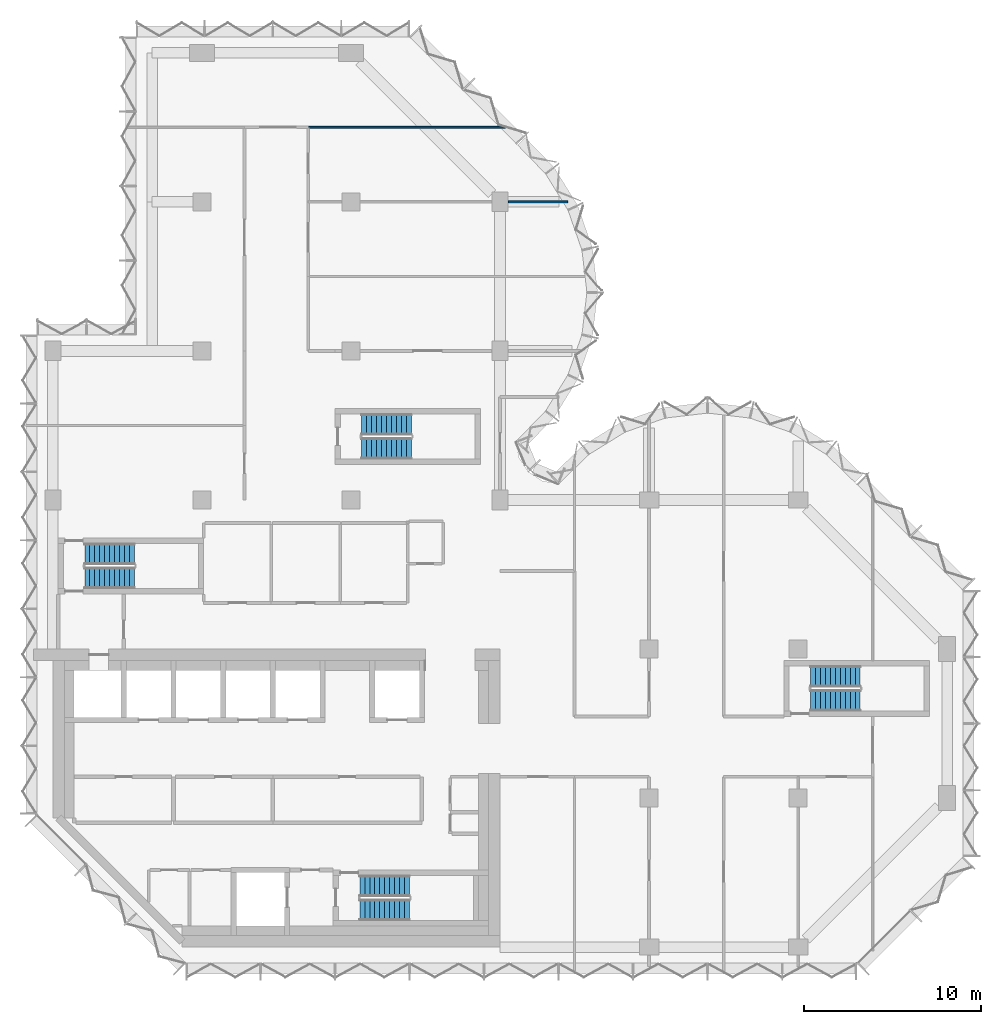
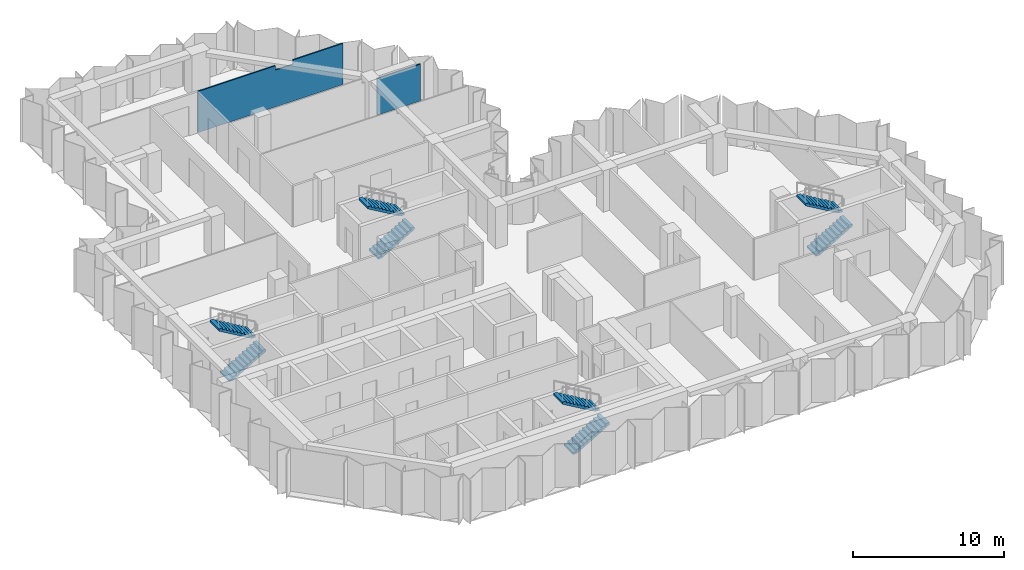
# One storey, part 8 of 10: 8 stair flights, 2 walls, 4 elements without a shape of their own.
"""IFC4 building model written with IfcOpenShell, lengths in metres."""

from ifc_helpers import new_model, si_unit, direction, frame, frame_2d, origin, place, context, subcontext, project, spatial, polyline, rectangle, outline, extrude, material, layer, layer_set, type_object, element, aggregate, save


model = new_model("IFC4")

# Units and contexts
model_context = context("Model", 3, precision=1e-05, world=origin(), true_north=direction((0.0, 1.0)))
body_context = subcontext(model_context, "Body", "Model", "MODEL_VIEW")
ifc_project = project(units=[si_unit("LENGTHUNIT", "METRE"), si_unit("AREAUNIT", "SQUARE_METRE"), si_unit("VOLUMEUNIT", "CUBIC_METRE"), si_unit("PLANEANGLEUNIT", "RADIAN"), si_unit("MASSUNIT", "GRAM", prefix="KILO")], contexts=[model_context])

# Site, building, storey
site_placement = place(None, origin())
site = spatial("IfcSite", under=ifc_project, at=site_placement, CompositionType="ELEMENT")
building_placement = place(site_placement, origin())
building = spatial("IfcBuilding", under=site, at=building_placement, Name="Brevane Broadcast Tower", CompositionType="ELEMENT")
storey_placement = place(building_placement, frame((0.0, 0.0, 199.199951171875)))
storey = spatial("IfcBuildingStorey", under=building, at=storey_placement, Name="L50", CompositionType="ELEMENT", Elevation=199.199951171875)

# Walls
ifc_material_1 = material(Name="Gypsum board partition")
ifc_layer = layer(ifc_material_1, 0.10009765625)
ifc_layer_set = layer_set([ifc_layer], Name="PARTITION 100 STUD")
wall_type = type_object("IfcWallType", Name="PARTITION 100 STUD", PredefinedType="PARTITIONING", material=ifc_layer_set)
wall_1_placement = place(storey_placement, frame((25.50244140625, 46.199951171875, 0.0), z_axis=(0.0, 0.0, 1.0), x_axis=(-1.0, 0.0, 0.0)))
element("IfcWall", 1, at=wall_1_placement, inside=storey, type_object=wall_type, Name="Partition G15-039", PredefinedType="PARTITIONING", context=body_context, shape_type="SweptSolid", body=[
    extrude(outline(polyline([(0.0, 0.0), (11.1025390625, 0.0), (11.1025390625, 3.330078125), (5.168212890625, 3.330078125), (5.166259765625, 2.97998046875), (3.8388671875, 2.97998046875), (3.8369140625, 3.330078125), (0.1025390625, 3.330078125), (0.0, 3.330078125), (0.0, 0.0)])), frame((0.0, 0.050048828125, 0.0), z_axis=(0.0, -1.0, 0.0), x_axis=(1.0, 0.0, 0.0)), (0.0, 0.0, 1.0), 0.10009765625),
])
wall_2_placement = place(storey_placement, frame((25.669921875, 42.0, 0.0), z_axis=(0.0, 0.0, 1.0), x_axis=(1.0, 0.0, 0.0)))
element("IfcWall", 2, at=wall_2_placement, inside=storey, type_object=wall_type, Name="Partition G15-044", PredefinedType="PARTITIONING", context=body_context, shape_type="SweptSolid", body=[
    extrude(rectangle(XDim=3.341552734375, YDim=0.10009765625, at=frame_2d((1.6708984375, 0.0))), origin(), (0.0, 0.0, 1.0), 2.97998046875),
])

# Stair, stair flights
ifc_material_2 = material(Name="Concrete C50/60", Category="concrete")
stair_type = type_object("IfcStairType", Name="Exit stair 22 risers", PredefinedType="HALF_TURN_STAIR", material=ifc_material_2)
stair_1_placement = place(storey_placement, origin())
stair_1 = element("IfcStair", 3, at=stair_1_placement, inside=storey, type_object=stair_type, Name="L50 Exit stair ST-1", PredefinedType="HALF_TURN_STAIR")
stair_flight_type = type_object("IfcStairFlightType", Name="Exit stair flight 22 risers", PredefinedType="STRAIGHT", material=ifc_material_2)
stair_flight_1_placement = place(storey_placement, frame((1.800048828125, 20.800048828125, 0.0), z_axis=(0.0, 0.0, 1.0), x_axis=(1.0, 0.0, 0.0)))
stair_flight_1 = element("IfcStairFlight", 4, at=stair_flight_1_placement, type_object=stair_flight_type, Name="ST-1 flight 1", NumberOfRisers=11, NumberOfTreads=10, PredefinedType="STRAIGHT", RiserHeight=0.163636364, TreadLength=0.28, context=body_context, shape_type="SweptSolid", body=[
    extrude(outline(polyline([(0.0, 0.0), (0.0, 0.16357421875), (0.280029296875, 0.16357421875), (0.280029296875, 0.327392578125), (0.56005859375, 0.327392578125), (0.56005859375, 0.490966796875), (0.840087890625, 0.490966796875), (0.840087890625, 0.654541015625), (1.1201171875, 0.654541015625), (1.1201171875, 0.818115234375), (1.39990234375, 0.818115234375), (1.39990234375, 0.98193359375), (1.679931640625, 0.98193359375), (1.679931640625, 1.1455078125), (1.9599609375, 1.1455078125), (1.9599609375, 1.30908203125), (2.239990234375, 1.30908203125), (2.239990234375, 1.47265625), (2.52001953125, 1.47265625), (2.52001953125, 1.636474609375), (2.800048828125, 1.636474609375), (2.800048828125, 1.800048828125), (2.800048828125, 1.462646484375), (0.297119140625, 0.0), (0.0, 0.0)])), frame((0.0, 0.60009765625, 0.0), z_axis=(0.0, -1.0, 0.0), x_axis=(1.0, 0.0, 0.0)), (0.0, 0.0, 1.0), 1.199951171875),
])
stair_flight_2_placement = place(storey_placement, frame((4.60009765625, 22.14990234375, 1.800048828125), z_axis=(0.0, 0.0, 1.0), x_axis=(-1.0, 0.0, 0.0)))
stair_flight_2 = element("IfcStairFlight", 5, at=stair_flight_2_placement, type_object=stair_flight_type, Name="ST-1 flight 2", NumberOfRisers=11, NumberOfTreads=10, PredefinedType="STRAIGHT", RiserHeight=0.163636364, TreadLength=0.28, context=body_context, shape_type="SweptSolid", body=[
    extrude(outline(polyline([(0.0, 0.0), (0.0, 0.16357421875), (0.280029296875, 0.16357421875), (0.280029296875, 0.327392578125), (0.56005859375, 0.327392578125), (0.56005859375, 0.490966796875), (0.840087890625, 0.490966796875), (0.840087890625, 0.654541015625), (1.1201171875, 0.654541015625), (1.1201171875, 0.818115234375), (1.39990234375, 0.818115234375), (1.39990234375, 0.98193359375), (1.679931640625, 0.98193359375), (1.679931640625, 1.1455078125), (1.9599609375, 1.1455078125), (1.9599609375, 1.30908203125), (2.239990234375, 1.30908203125), (2.239990234375, 1.47265625), (2.52001953125, 1.47265625), (2.52001953125, 1.636474609375), (2.800048828125, 1.636474609375), (2.800048828125, 1.800048828125), (2.800048828125, 1.462646484375), (0.297119140625, 0.0), (0.0, 0.0)])), frame((0.0, 0.60009765625, 0.0), z_axis=(0.0, -1.0, 0.0), x_axis=(1.0, 0.0, 0.0)), (0.0, 0.0, 1.0), 1.199951171875),
])
aggregate(stair_1, [stair_flight_1, stair_flight_2])

stair_2_placement = place(storey_placement, origin())
stair_2 = element("IfcStair", 6, at=stair_2_placement, inside=storey, type_object=stair_type, Name="L50 Exit stair ST-2", PredefinedType="HALF_TURN_STAIR")
stair_flight_3_placement = place(storey_placement, frame((17.300048828125, 2.10009765625, 0.0), z_axis=(0.0, 0.0, 1.0), x_axis=(1.0, 0.0, 0.0)))
stair_flight_3 = element("IfcStairFlight", 7, at=stair_flight_3_placement, type_object=stair_flight_type, Name="ST-2 flight 1", NumberOfRisers=11, NumberOfTreads=10, PredefinedType="STRAIGHT", RiserHeight=0.163636364, TreadLength=0.28, context=body_context, shape_type="SweptSolid", body=[
    extrude(outline(polyline([(0.0, 0.0), (0.0, 0.16357421875), (0.280029296875, 0.16357421875), (0.280029296875, 0.327392578125), (0.56005859375, 0.327392578125), (0.56005859375, 0.490966796875), (0.840087890625, 0.490966796875), (0.840087890625, 0.654541015625), (1.1201171875, 0.654541015625), (1.1201171875, 0.818115234375), (1.39990234375, 0.818115234375), (1.39990234375, 0.98193359375), (1.679931640625, 0.98193359375), (1.679931640625, 1.1455078125), (1.9599609375, 1.1455078125), (1.9599609375, 1.30908203125), (2.239990234375, 1.30908203125), (2.239990234375, 1.47265625), (2.52001953125, 1.47265625), (2.52001953125, 1.636474609375), (2.800048828125, 1.636474609375), (2.800048828125, 1.800048828125), (2.800048828125, 1.462646484375), (0.297119140625, 0.0), (0.0, 0.0)])), frame((0.0, 0.60009765625, 0.0), z_axis=(0.0, -1.0, 0.0), x_axis=(1.0, 0.0, 0.0)), (0.0, 0.0, 1.0), 1.199951171875),
])
stair_flight_4_placement = place(storey_placement, frame((20.10009765625, 3.449951171875, 1.800048828125), z_axis=(0.0, 0.0, 1.0), x_axis=(-1.0, 0.0, 0.0)))
stair_flight_4 = element("IfcStairFlight", 8, at=stair_flight_4_placement, type_object=stair_flight_type, Name="ST-2 flight 2", NumberOfRisers=11, NumberOfTreads=10, PredefinedType="STRAIGHT", RiserHeight=0.163636364, TreadLength=0.28, context=body_context, shape_type="SweptSolid", body=[
    extrude(outline(polyline([(0.0, 0.0), (0.0, 0.16357421875), (0.280029296875, 0.16357421875), (0.280029296875, 0.327392578125), (0.56005859375, 0.327392578125), (0.56005859375, 0.490966796875), (0.840087890625, 0.490966796875), (0.840087890625, 0.654541015625), (1.1201171875, 0.654541015625), (1.1201171875, 0.818115234375), (1.39990234375, 0.818115234375), (1.39990234375, 0.98193359375), (1.679931640625, 0.98193359375), (1.679931640625, 1.1455078125), (1.9599609375, 1.1455078125), (1.9599609375, 1.30908203125), (2.239990234375, 1.30908203125), (2.239990234375, 1.47265625), (2.52001953125, 1.47265625), (2.52001953125, 1.636474609375), (2.800048828125, 1.636474609375), (2.800048828125, 1.800048828125), (2.800048828125, 1.462646484375), (0.297119140625, 0.0), (0.0, 0.0)])), frame((0.0, 0.60009765625, 0.0), z_axis=(0.0, -1.0, 0.0), x_axis=(1.0, 0.0, 0.0)), (0.0, 0.0, 1.0), 1.199951171875),
])
aggregate(stair_2, [stair_flight_3, stair_flight_4])

stair_3_placement = place(storey_placement, origin())
stair_3 = element("IfcStair", 9, at=stair_3_placement, inside=storey, type_object=stair_type, Name="L50 Exit stair ST-3", PredefinedType="HALF_TURN_STAIR")
stair_flight_5_placement = place(storey_placement, frame((17.39990234375, 28.10009765625, 0.0), z_axis=(0.0, 0.0, 1.0), x_axis=(1.0, 0.0, 0.0)))
stair_flight_5 = element("IfcStairFlight", 10, at=stair_flight_5_placement, type_object=stair_flight_type, Name="ST-3 flight 1", NumberOfRisers=11, NumberOfTreads=10, PredefinedType="STRAIGHT", RiserHeight=0.163636364, TreadLength=0.28, context=body_context, shape_type="SweptSolid", body=[
    extrude(outline(polyline([(0.0, 0.0), (0.0, 0.16357421875), (0.280029296875, 0.16357421875), (0.280029296875, 0.327392578125), (0.56005859375, 0.327392578125), (0.56005859375, 0.490966796875), (0.840087890625, 0.490966796875), (0.840087890625, 0.654541015625), (1.1201171875, 0.654541015625), (1.1201171875, 0.818115234375), (1.39990234375, 0.818115234375), (1.39990234375, 0.98193359375), (1.679931640625, 0.98193359375), (1.679931640625, 1.1455078125), (1.9599609375, 1.1455078125), (1.9599609375, 1.30908203125), (2.239990234375, 1.30908203125), (2.239990234375, 1.47265625), (2.52001953125, 1.47265625), (2.52001953125, 1.636474609375), (2.800048828125, 1.636474609375), (2.800048828125, 1.800048828125), (2.800048828125, 1.462646484375), (0.297119140625, 0.0), (0.0, 0.0)])), frame((0.0, 0.60009765625, 0.0), z_axis=(0.0, -1.0, 0.0), x_axis=(1.0, 0.0, 0.0)), (0.0, 0.0, 1.0), 1.199951171875),
])
stair_flight_6_placement = place(storey_placement, frame((20.199951171875, 29.449951171875, 1.800048828125), z_axis=(0.0, 0.0, 1.0), x_axis=(-1.0, 0.0, 0.0)))
stair_flight_6 = element("IfcStairFlight", 11, at=stair_flight_6_placement, type_object=stair_flight_type, Name="ST-3 flight 2", NumberOfRisers=11, NumberOfTreads=10, PredefinedType="STRAIGHT", RiserHeight=0.163636364, TreadLength=0.28, context=body_context, shape_type="SweptSolid", body=[
    extrude(outline(polyline([(0.0, 0.0), (0.0, 0.16357421875), (0.280029296875, 0.16357421875), (0.280029296875, 0.327392578125), (0.56005859375, 0.327392578125), (0.56005859375, 0.490966796875), (0.840087890625, 0.490966796875), (0.840087890625, 0.654541015625), (1.1201171875, 0.654541015625), (1.1201171875, 0.818115234375), (1.39990234375, 0.818115234375), (1.39990234375, 0.98193359375), (1.679931640625, 0.98193359375), (1.679931640625, 1.1455078125), (1.9599609375, 1.1455078125), (1.9599609375, 1.30908203125), (2.239990234375, 1.30908203125), (2.239990234375, 1.47265625), (2.52001953125, 1.47265625), (2.52001953125, 1.636474609375), (2.800048828125, 1.636474609375), (2.800048828125, 1.800048828125), (2.800048828125, 1.462646484375), (0.297119140625, 0.0), (0.0, 0.0)])), frame((0.0, 0.60009765625, 0.0), z_axis=(0.0, -1.0, 0.0), x_axis=(1.0, 0.0, 0.0)), (0.0, 0.0, 1.0), 1.199951171875),
])
aggregate(stair_3, [stair_flight_5, stair_flight_6])

stair_4_placement = place(storey_placement, origin())
stair_4 = element("IfcStair", 12, at=stair_4_placement, inside=storey, type_object=stair_type, Name="L50 Exit stair ST-4", PredefinedType="HALF_TURN_STAIR")
stair_flight_7_placement = place(storey_placement, frame((42.699951171875, 13.89990234375, 0.0), z_axis=(0.0, 0.0, 1.0), x_axis=(1.0, 0.0, 0.0)))
stair_flight_7 = element("IfcStairFlight", 13, at=stair_flight_7_placement, type_object=stair_flight_type, Name="ST-4 flight 1", NumberOfRisers=11, NumberOfTreads=10, PredefinedType="STRAIGHT", RiserHeight=0.163636364, TreadLength=0.28, context=body_context, shape_type="SweptSolid", body=[
    extrude(outline(polyline([(0.0, 0.0), (0.0, 0.16357421875), (0.280029296875, 0.16357421875), (0.280029296875, 0.327392578125), (0.56005859375, 0.327392578125), (0.56005859375, 0.490966796875), (0.840087890625, 0.490966796875), (0.840087890625, 0.654541015625), (1.1201171875, 0.654541015625), (1.1201171875, 0.818115234375), (1.39990234375, 0.818115234375), (1.39990234375, 0.98193359375), (1.679931640625, 0.98193359375), (1.679931640625, 1.1455078125), (1.9599609375, 1.1455078125), (1.9599609375, 1.30908203125), (2.239990234375, 1.30908203125), (2.239990234375, 1.47265625), (2.52001953125, 1.47265625), (2.52001953125, 1.636474609375), (2.800048828125, 1.636474609375), (2.800048828125, 1.800048828125), (2.800048828125, 1.462646484375), (0.297119140625, 0.0), (0.0, 0.0)])), frame((0.0, 0.60009765625, 0.0), z_axis=(0.0, -1.0, 0.0), x_axis=(1.0, 0.0, 0.0)), (0.0, 0.0, 1.0), 1.199951171875),
])
stair_flight_8_placement = place(storey_placement, frame((45.5, 15.25, 1.800048828125), z_axis=(0.0, 0.0, 1.0), x_axis=(-1.0, 0.0, 0.0)))
stair_flight_8 = element("IfcStairFlight", 14, at=stair_flight_8_placement, type_object=stair_flight_type, Name="ST-4 flight 2", NumberOfRisers=11, NumberOfTreads=10, PredefinedType="STRAIGHT", RiserHeight=0.163636364, TreadLength=0.28, context=body_context, shape_type="SweptSolid", body=[
    extrude(outline(polyline([(0.0, 0.0), (0.0, 0.16357421875), (0.280029296875, 0.16357421875), (0.280029296875, 0.327392578125), (0.56005859375, 0.327392578125), (0.56005859375, 0.490966796875), (0.840087890625, 0.490966796875), (0.840087890625, 0.654541015625), (1.1201171875, 0.654541015625), (1.1201171875, 0.818115234375), (1.39990234375, 0.818115234375), (1.39990234375, 0.98193359375), (1.679931640625, 0.98193359375), (1.679931640625, 1.1455078125), (1.9599609375, 1.1455078125), (1.9599609375, 1.30908203125), (2.239990234375, 1.30908203125), (2.239990234375, 1.47265625), (2.52001953125, 1.47265625), (2.52001953125, 1.636474609375), (2.800048828125, 1.636474609375), (2.800048828125, 1.800048828125), (2.800048828125, 1.462646484375), (0.297119140625, 0.0), (0.0, 0.0)])), frame((0.0, 0.60009765625, 0.0), z_axis=(0.0, -1.0, 0.0), x_axis=(1.0, 0.0, 0.0)), (0.0, 0.0, 1.0), 1.199951171875),
])
aggregate(stair_4, [stair_flight_7, stair_flight_8])

save(model, "model.ifc")
